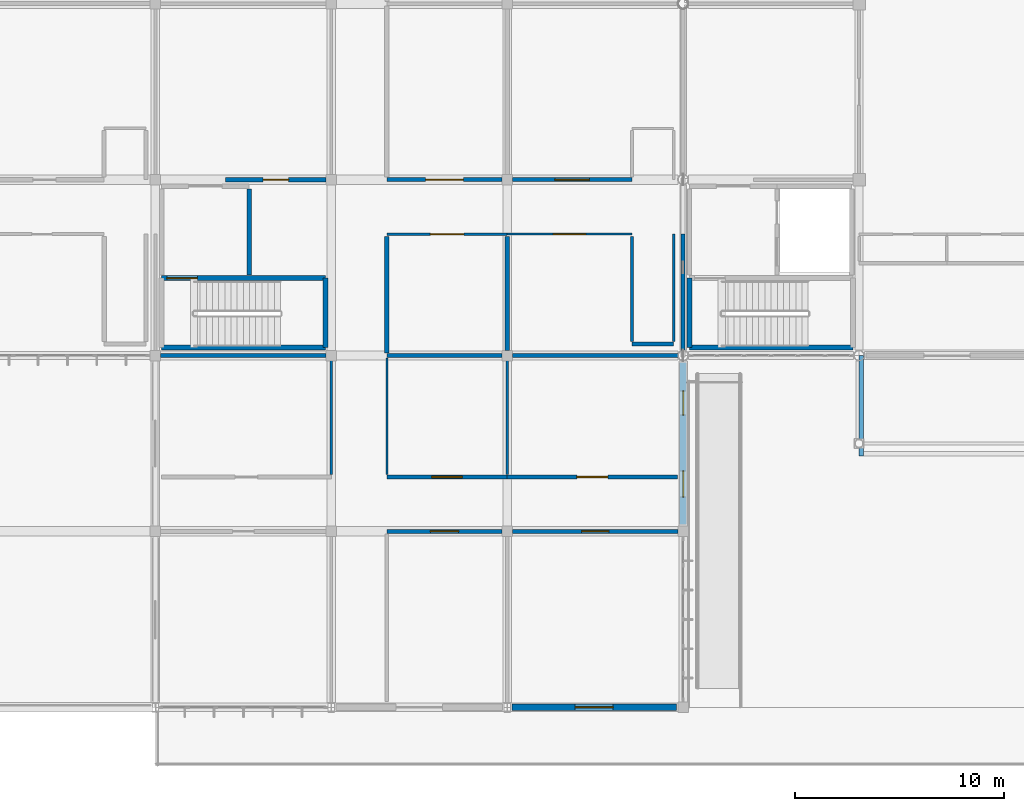
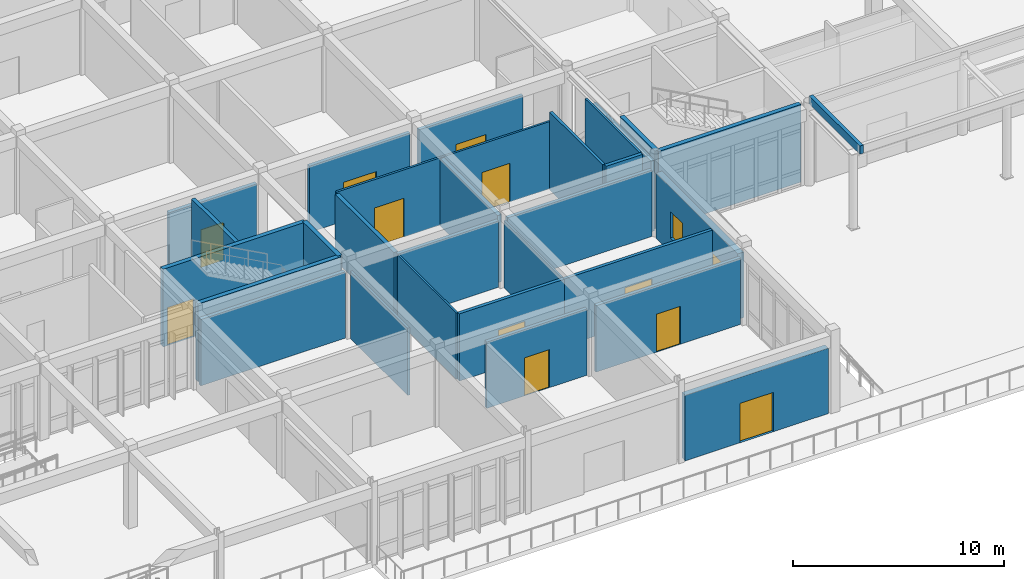
# One storey, part 90 of 138: 30 walls, 11 doors, 2 windows, 13 openings.
"""IFC4 building model written with IfcOpenShell, lengths in metres."""

from ifc_helpers import new_model, si_unit, direction, frame, frame_2d, origin, place, context, subcontext, project, spatial, rectangle, extrude, material, layer, layer_set, type_object, element, fill, save


model = new_model("IFC4")

# Units and contexts
model_context = context("Model", 3, precision=1e-05, world=origin(), true_north=direction((0.0, 1.0)))
body_context = subcontext(model_context, "Body", "Model", "MODEL_VIEW")
ifc_project = project(units=[si_unit("LENGTHUNIT", "METRE"), si_unit("AREAUNIT", "SQUARE_METRE"), si_unit("VOLUMEUNIT", "CUBIC_METRE"), si_unit("PLANEANGLEUNIT", "RADIAN"), si_unit("MASSUNIT", "GRAM", prefix="KILO")], contexts=[model_context])

# Site, building, storey
site_placement = place(None, origin())
site = spatial("IfcSite", under=ifc_project, at=site_placement, CompositionType="ELEMENT")
building_placement = place(site_placement, origin())
building = spatial("IfcBuilding", under=site, at=building_placement, Name="Bramfleet General Hospital", CompositionType="ELEMENT")
storey_placement = place(building_placement, origin())
storey = spatial("IfcBuildingStorey", under=building, at=storey_placement, Name="L00", CompositionType="ELEMENT", Elevation=0.0)

# Wall, openings, windows
ifc_material_1 = material(Name="Precast concrete C40/50", Category="concrete")
ifc_layer_1 = layer(ifc_material_1, 0.3349609375, Name="WT-EW-03")
ifc_layer_set_1 = layer_set([ifc_layer_1], Name="Precast concrete C40/50")
wall_type_1 = type_object("IfcWallType", Name="WT-EW-03", PredefinedType="SOLIDWALL", material=ifc_layer_set_1)
wall_1_placement = place(storey_placement, frame((50.39990234375, 16.470947265625, 0.0), z_axis=(0.0, 0.0, 1.0), x_axis=(0.0, -1.0, 0.0)))
wall_1 = element("IfcWall", 1, at=wall_1_placement, inside=storey, type_object=wall_type_1, Name="L00 Exterior Wall 148", PredefinedType="SOLIDWALL", context=body_context, shape_type="SweptSolid", body=[
    extrude(rectangle(XDim=7.745849609375, YDim=0.3349609375, at=frame_2d((3.873046875, 0.0))), origin(), (0.0, 0.0, 1.0), 3.7900390625),
])
opening_1_placement = place(wall_1_placement, frame((1.361572265625, 0.0, 0.85009765625)))
opening_1 = element("IfcOpeningElement", 2, at=opening_1_placement, cuts=wall_1, Name="Opening W-22", PredefinedType="OPENING", context=body_context, shape_type="SweptSolid", body=[
    extrude(rectangle(XDim=1.14990234375, YDim=1.5400390625, at=frame_2d((0.574951171875, 0.77001953125))), frame((0.0, 0.177490234375, 0.0), z_axis=(0.0, -1.0, 0.0), x_axis=(1.0, 0.0, 0.0)), (0.0, 0.0, 1.0), 0.35498046875),
])
opening_2_placement = place(wall_1_placement, frame((5.1845703125, 0.0, 0.85009765625)))
opening_2 = element("IfcOpeningElement", 3, at=opening_2_placement, cuts=wall_1, Name="Opening W-23", PredefinedType="OPENING", context=body_context, shape_type="SweptSolid", body=[
    extrude(rectangle(XDim=1.25, YDim=1.5400390625, at=frame_2d((0.625, 0.77001953125))), frame((0.0, 0.177490234375, 0.0), z_axis=(0.0, -1.0, 0.0), x_axis=(1.0, 0.0, 0.0)), (0.0, 0.0, 1.0), 0.35498046875),
])
ifc_material_2 = material(Name="Anodised aluminium and low-E triple glazing", Category="aluminium")
window_type_1 = type_object("IfcWindowType", Name="WIN-W-22", PartitioningType="SINGLE_PANEL", PredefinedType="WINDOW", material=ifc_material_2)
window_1_placement = place(opening_1_placement, origin())
window_1 = element("IfcWindow", 4, at=window_1_placement, inside=storey, type_object=window_type_1, Name="L00 Facade Window WIN-L00-148-1", OverallHeight=1.5400390625, OverallWidth=1.14990234375, PartitioningType="SINGLE_PANEL", PredefinedType="WINDOW", context=body_context, shape_type="SweptSolid", body=[
    extrude(rectangle(XDim=1.14990234375, YDim=1.5400390625, at=frame_2d((0.574951171875, 0.77001953125))), frame((0.0, 0.030029296875, 0.0), z_axis=(0.0, -1.0, 0.0), x_axis=(1.0, 0.0, 0.0)), (0.0, 0.0, 1.0), 0.06005859375),
])
fill(opening_1, window_1)
window_type_2 = type_object("IfcWindowType", Name="WIN-W-23", PartitioningType="SINGLE_PANEL", PredefinedType="WINDOW", material=ifc_material_2)
window_2_placement = place(opening_2_placement, origin())
window_2 = element("IfcWindow", 5, at=window_2_placement, inside=storey, type_object=window_type_2, Name="L00 Facade Window WIN-L00-148-2", OverallHeight=1.5400390625, OverallWidth=1.25, PartitioningType="SINGLE_PANEL", PredefinedType="WINDOW", context=body_context, shape_type="SweptSolid", body=[
    extrude(rectangle(XDim=1.25, YDim=1.5400390625, at=frame_2d((0.625, 0.77001953125))), frame((0.0, 0.030029296875, 0.0), z_axis=(0.0, -1.0, 0.0), x_axis=(1.0, 0.0, 0.0)), (0.0, 0.0, 1.0), 0.06005859375),
])
fill(opening_2, window_2)

# Wall, opening, door
ifc_layer_2 = layer(ifc_material_1, 0.31494140625, Name="WT-EW-04")
ifc_layer_set_2 = layer_set([ifc_layer_2], Name="Precast concrete C40/50")
wall_type_2 = type_object("IfcWallType", Name="WT-EW-04", PredefinedType="SOLIDWALL", material=ifc_layer_set_2)
wall_2_placement = place(storey_placement, frame((50.074951171875, 0.0, 0.0), z_axis=(0.0, 0.0, 1.0), x_axis=(-1.0, 0.0, 0.0)))
wall_2 = element("IfcWall", 6, at=wall_2_placement, inside=storey, type_object=wall_type_2, Name="L00 Exterior Wall 149", PredefinedType="SOLIDWALL", context=body_context, shape_type="SweptSolid", body=[
    extrude(rectangle(XDim=7.849853515625, YDim=0.31494140625, at=frame_2d((3.9248046875, 0.0))), origin(), (0.0, 0.0, 1.0), 3.7900390625),
])
opening_3_placement = place(wall_2_placement, frame((3.014892578125, 0.0, 0.0)))
opening_3 = element("IfcOpeningElement", 7, at=opening_3_placement, cuts=wall_2, Name="Opening D-L00-EXT-017", PredefinedType="OPENING", context=body_context, shape_type="SweptSolid", body=[
    extrude(rectangle(XDim=1.820068359375, YDim=2.280029296875, at=frame_2d((0.91015625, 1.14013671875))), frame((0.0, 0.16748046875, 0.0), z_axis=(0.0, -1.0, 0.0), x_axis=(1.0, 0.0, 0.0)), (0.0, 0.0, 1.0), 0.3349609375),
])
ifc_material_3 = material(Name="Thermally broken steel and laminated safety glass", Category="steel")
door_type_1 = type_object("IfcDoorType", Name="DR-ED-02", OperationType="NOTDEFINED", PredefinedType="DOOR", material=ifc_material_3)
door_1_placement = place(opening_3_placement, origin())
door_1 = element("IfcDoor", 8, at=door_1_placement, inside=storey, type_object=door_type_1, Name="Ground Exterior Pedestrian Door D-L00-EXT-017", OperationType="DOUBLE_SWING_LEFT", OverallHeight=2.280029296875, OverallWidth=1.820068359375, PredefinedType="DOOR", context=body_context, shape_type="SweptSolid", body=[
    extrude(rectangle(XDim=1.820068359375, YDim=2.280029296875, at=frame_2d((0.91015625, 1.14013671875))), frame((0.0, 0.02490234375, 0.0), z_axis=(0.0, -1.0, 0.0), x_axis=(1.0, 0.0, 0.0)), (0.0, 0.0, 1.0), 0.050048828125),
])
fill(opening_3, door_1)

# Walls
ifc_material_4 = material(Name="Concrete C35/45", Category="concrete")
ifc_layer_3 = layer(ifc_material_4, 0.219970703125, Name="WT-IW-01")
ifc_layer_set_3 = layer_set([ifc_layer_3], Name="Concrete C35/45")
wall_type_3 = type_object("IfcWallType", Name="WT-IW-01", PredefinedType="PARTITIONING", material=ifc_layer_set_3)
wall_3_placement = place(storey_placement, frame((36.25, 16.9150390625, 0.0), z_axis=(0.0, 0.0, 1.0), x_axis=(0.0, 1.0, 0.0)))
element("IfcWall", 9, at=wall_3_placement, inside=storey, type_object=wall_type_3, Name="L00 Interior Partition IW-L00-0973", PredefinedType="PARTITIONING", context=body_context, shape_type="SweptSolid", body=[
    extrude(rectangle(XDim=5.570068359375, YDim=0.219970703125, at=frame_2d((2.78515625, 0.0))), origin(), (0.0, 0.0, 1.0), 3.840087890625),
])
wall_4_placement = place(storey_placement, frame((42.0, 17.044921875, 0.0), z_axis=(0.0, 0.0, 1.0), x_axis=(0.0, 1.0, 0.0)))
element("IfcWall", 10, at=wall_4_placement, inside=storey, type_object=wall_type_3, Name="L00 Interior Partition IW-L00-0985", PredefinedType="PARTITIONING", context=body_context, shape_type="SweptSolid", body=[
    extrude(rectangle(XDim=5.440185546875, YDim=0.219970703125, at=frame_2d((2.72021484375, 0.0))), origin(), (0.0, 0.0, 1.0), 3.889892578125),
])
ifc_layer_4 = layer(ifc_material_4, 0.205078125, Name="WT-IW-02")
ifc_layer_set_4 = layer_set([ifc_layer_4], Name="Concrete C35/45")
wall_type_4 = type_object("IfcWallType", Name="WT-IW-02", PredefinedType="PARTITIONING", material=ifc_layer_set_4)
wall_5_placement = place(storey_placement, frame((29.679931640625, 20.639892578125, 0.0), z_axis=(0.0, 0.0, 1.0), x_axis=(0.0, 1.0, 0.0)))
element("IfcWall", 11, at=wall_5_placement, inside=storey, type_object=wall_type_4, Name="L00 C7 Lobby East Shaft Wall", PredefinedType="PARTITIONING", context=body_context, shape_type="SweptSolid", body=[
    extrude(rectangle(XDim=4.1201171875, YDim=0.205078125, at=frame_2d((2.06005859375, 0.0))), origin(), (0.0, 0.0, 1.0), 4.489990234375),
])
wall_6_placement = place(storey_placement, frame((25.445068359375, 16.800048828125, 0.0), z_axis=(0.0, 0.0, 1.0), x_axis=(1.0, 0.0, 0.0)))
element("IfcWall", 12, at=wall_6_placement, inside=storey, type_object=wall_type_4, Name="L00 Interior Partition IW-L00-0626", PredefinedType="PARTITIONING", context=body_context, shape_type="SweptSolid", body=[
    extrude(rectangle(XDim=7.909912109375, YDim=0.205078125, at=frame_2d((3.955078125, 0.0))), origin(), (0.0, 0.0, 1.0), 3.840087890625),
])

# Wall, opening, door
wall_7_placement = place(storey_placement, frame((28.550048828125, 25.199951171875, 0.0), z_axis=(0.0, 0.0, 1.0), x_axis=(1.0, 0.0, 0.0)))
wall_7 = element("IfcWall", 13, at=wall_7_placement, inside=storey, type_object=wall_type_4, Name="L00 Interior Partition IW-L00-0662", PredefinedType="PARTITIONING", context=body_context, shape_type="SweptSolid", body=[
    extrude(rectangle(XDim=4.804931640625, YDim=0.205078125, at=frame_2d((2.40234375, 0.0))), origin(), (0.0, 0.0, 1.0), 3.840087890625),
])
opening_4_placement = place(wall_7_placement, frame((1.79248046875, 0.0, 0.0)))
opening_4 = element("IfcOpeningElement", 14, at=opening_4_placement, cuts=wall_7, Name="Opening D0439", PredefinedType="OPENING", context=body_context, shape_type="SweptSolid", body=[
    extrude(rectangle(XDim=1.219970703125, YDim=2.179931640625, at=frame_2d((0.60986328125, 1.08984375))), frame((0.0, 0.112548828125, 0.0), z_axis=(0.0, -1.0, 0.0), x_axis=(1.0, 0.0, 0.0)), (0.0, 0.0, 1.0), 0.22509765625),
])
ifc_material_5 = material(Name="Stainless steel and acoustic timber leaf", Category="steel")
door_type_2 = type_object("IfcDoorType", Name="DR-D-23", OperationType="NOTDEFINED", PredefinedType="DOOR", material=ifc_material_5)
door_2_placement = place(opening_4_placement, origin())
door_2 = element("IfcDoor", 15, at=door_2_placement, inside=storey, type_object=door_type_2, Name="Emergency Resuscitation Bay 4 Door D0439", OperationType="SINGLE_SWING_RIGHT", OverallHeight=2.179931640625, OverallWidth=1.219970703125, PredefinedType="DOOR", context=body_context, shape_type="SweptSolid", body=[
    extrude(rectangle(XDim=1.219970703125, YDim=2.179931640625, at=frame_2d((0.60986328125, 1.08984375))), frame((0.0, 0.02490234375, 0.0), z_axis=(0.0, -1.0, 0.0), x_axis=(1.0, 0.0, 0.0)), (0.0, 0.0, 1.0), 0.050048828125),
])
fill(opening_4, door_2)

# Walls
ifc_layer_5 = layer(ifc_material_4, 0.18994140625, Name="WT-IW-03")
ifc_layer_set_5 = layer_set([ifc_layer_5], Name="Concrete C35/45")
wall_type_5 = type_object("IfcWallType", Name="WT-IW-03", PredefinedType="PARTITIONING", material=ifc_layer_set_5)
wall_8_placement = place(storey_placement, frame((36.25, 16.800048828125, 0.0), z_axis=(0.0, 0.0, 1.0), x_axis=(1.0, 0.0, 0.0)))
element("IfcWall", 16, at=wall_8_placement, inside=storey, type_object=wall_type_5, Name="L00 Interior Partition IW-L00-0627", PredefinedType="PARTITIONING", context=body_context, shape_type="SweptSolid", body=[
    extrude(rectangle(XDim=5.5048828125, YDim=0.18994140625, at=frame_2d((2.75244140625, 0.0))), origin(), (0.0, 0.0, 1.0), 3.840087890625),
])
wall_9_placement = place(storey_placement, frame((47.949951171875, 17.35009765625, 0.0), z_axis=(0.0, 0.0, 1.0), x_axis=(1.0, 0.0, 0.0)))
element("IfcWall", 17, at=wall_9_placement, inside=storey, type_object=wall_type_5, Name="L00 Interior Partition IW-L00-0639", PredefinedType="PARTITIONING", context=body_context, shape_type="SweptSolid", body=[
    extrude(rectangle(XDim=2.0, YDim=0.18994140625, at=frame_2d((1.0, 0.0))), origin(), (0.0, 0.0, 1.0), 4.489990234375),
])

# Wall, opening, door
wall_10_placement = place(storey_placement, frame((36.25, 25.199951171875, 0.0), z_axis=(0.0, 0.0, 1.0), x_axis=(1.0, 0.0, 0.0)))
wall_10 = element("IfcWall", 18, at=wall_10_placement, inside=storey, type_object=wall_type_5, Name="L00 Interior Partition IW-L00-0663", PredefinedType="PARTITIONING", context=body_context, shape_type="SweptSolid", body=[
    extrude(rectangle(XDim=5.5048828125, YDim=0.18994140625, at=frame_2d((2.75244140625, 0.0))), origin(), (0.0, 0.0, 1.0), 3.840087890625),
])
opening_5_placement = place(wall_10_placement, frame((1.8525390625, 0.0, 0.0)))
opening_5 = element("IfcOpeningElement", 19, at=opening_5_placement, cuts=wall_10, Name="Opening D0453", PredefinedType="OPENING", context=body_context, shape_type="SweptSolid", body=[
    extrude(rectangle(XDim=1.800048828125, YDim=2.25, at=frame_2d((0.89990234375, 1.125))), frame((0.0, 0.10498046875, 0.0), z_axis=(0.0, -1.0, 0.0), x_axis=(1.0, 0.0, 0.0)), (0.0, 0.0, 1.0), 0.2099609375),
])
door_type_3 = type_object("IfcDoorType", Name="DR-D-05", OperationType="NOTDEFINED", PredefinedType="DOOR", material=ifc_material_5)
door_3_placement = place(opening_5_placement, origin())
door_3 = element("IfcDoor", 20, at=door_3_placement, inside=storey, type_object=door_type_3, Name="Emergency Resuscitation Bay 5 Door D0453", OperationType="DOUBLE_SWING_RIGHT", OverallHeight=2.25, OverallWidth=1.800048828125, PredefinedType="DOOR", context=body_context, shape_type="SweptSolid", body=[
    extrude(rectangle(XDim=1.800048828125, YDim=2.25, at=frame_2d((0.89990234375, 1.125))), frame((0.0, 0.02490234375, 0.0), z_axis=(0.0, -1.0, 0.0), x_axis=(1.0, 0.0, 0.0)), (0.0, 0.0, 1.0), 0.050048828125),
])
fill(opening_5, door_3)

# Wall
wall_11_placement = place(storey_placement, frame((50.39990234375, 17.049072265625, 0.0), z_axis=(0.0, 0.0, 1.0), x_axis=(0.0, 1.0, 0.0)))
element("IfcWall", 21, at=wall_11_placement, inside=storey, type_object=wall_type_5, Name="L00 Interior Partition IW-L00-1011", PredefinedType="PARTITIONING", context=body_context, shape_type="SweptSolid", body=[
    extrude(rectangle(XDim=5.551025390625, YDim=0.18994140625, at=frame_2d((2.775390625, 0.0))), origin(), (0.0, 0.0, 1.0), 4.090087890625),
])

# Wall, opening, door
ifc_layer_6 = layer(ifc_material_4, 0.179931640625, Name="WT-IW-04")
ifc_layer_set_6 = layer_set([ifc_layer_6], Name="Concrete C35/45")
wall_type_6 = type_object("IfcWallType", Name="WT-IW-04", PredefinedType="PARTITIONING", material=ifc_layer_set_6)
wall_12_placement = place(storey_placement, frame((36.25, 8.39990234375, 0.0), z_axis=(0.0, 0.0, 1.0), x_axis=(1.0, 0.0, 0.0)))
wall_12 = element("IfcWall", 22, at=wall_12_placement, inside=storey, type_object=wall_type_6, Name="L00 Interior Partition IW-L00-0603", PredefinedType="PARTITIONING", context=body_context, shape_type="SweptSolid", body=[
    extrude(rectangle(XDim=5.5048828125, YDim=0.179931640625, at=frame_2d((2.75244140625, 0.0))), origin(), (0.0, 0.0, 1.0), 3.840087890625),
])
opening_6_placement = place(wall_12_placement, frame((2.077392578125, 0.0, 0.0)))
opening_6 = element("IfcOpeningElement", 23, at=opening_6_placement, cuts=wall_12, Name="Opening D0450", PredefinedType="OPENING", context=body_context, shape_type="SweptSolid", body=[
    extrude(rectangle(XDim=1.35009765625, YDim=2.199951171875, at=frame_2d((0.675048828125, 1.10009765625))), frame((0.0, 0.099853515625, 0.0), z_axis=(0.0, -1.0, 0.0), x_axis=(1.0, 0.0, 0.0)), (0.0, 0.0, 1.0), 0.199951171875),
])
door_type_4 = type_object("IfcDoorType", Name="DR-D-02", OperationType="NOTDEFINED", PredefinedType="DOOR", material=ifc_material_5)
door_4_placement = place(opening_6_placement, origin())
door_4 = element("IfcDoor", 24, at=door_4_placement, inside=storey, type_object=door_type_4, Name="Emergency Trauma CT Suite Door D0450", OperationType="SINGLE_SWING_LEFT", OverallHeight=2.199951171875, OverallWidth=1.35009765625, PredefinedType="DOOR", context=body_context, shape_type="SweptSolid", body=[
    extrude(rectangle(XDim=1.35009765625, YDim=2.199951171875, at=frame_2d((0.675048828125, 1.10009765625))), frame((0.0, 0.02490234375, 0.0), z_axis=(0.0, -1.0, 0.0), x_axis=(1.0, 0.0, 0.0)), (0.0, 0.0, 1.0), 0.050048828125),
])
fill(opening_6, door_4)

wall_13_placement = place(storey_placement, frame((42.2451171875, 8.39990234375, 0.0), z_axis=(0.0, 0.0, 1.0), x_axis=(1.0, 0.0, 0.0)))
wall_13 = element("IfcWall", 25, at=wall_13_placement, inside=storey, type_object=wall_type_6, Name="L00 Interior Partition IW-L00-0604", PredefinedType="PARTITIONING", context=body_context, shape_type="SweptSolid", body=[
    extrude(rectangle(XDim=7.909912109375, YDim=0.179931640625, at=frame_2d((3.955078125, 0.0))), origin(), (0.0, 0.0, 1.0), 3.840087890625),
])
opening_7_placement = place(wall_13_placement, frame((3.304931640625, 0.0, 0.0)))
opening_7 = element("IfcOpeningElement", 26, at=opening_7_placement, cuts=wall_13, Name="Opening D0463", PredefinedType="OPENING", context=body_context, shape_type="SweptSolid", body=[
    extrude(rectangle(XDim=1.300048828125, YDim=2.199951171875, at=frame_2d((0.64990234375, 1.10009765625))), frame((0.0, 0.099853515625, 0.0), z_axis=(0.0, -1.0, 0.0), x_axis=(1.0, 0.0, 0.0)), (0.0, 0.0, 1.0), 0.199951171875),
])
door_type_5 = type_object("IfcDoorType", Name="DR-D-15", OperationType="NOTDEFINED", PredefinedType="DOOR", material=ifc_material_5)
door_5_placement = place(opening_7_placement, origin())
door_5 = element("IfcDoor", 27, at=door_5_placement, inside=storey, type_object=door_type_5, Name="Emergency Department Exam Room 0500 Door D0463", OperationType="SINGLE_SWING_RIGHT", OverallHeight=2.199951171875, OverallWidth=1.300048828125, PredefinedType="DOOR", context=body_context, shape_type="SweptSolid", body=[
    extrude(rectangle(XDim=1.300048828125, YDim=2.199951171875, at=frame_2d((0.64990234375, 1.10009765625))), frame((0.0, 0.02490234375, 0.0), z_axis=(0.0, -1.0, 0.0), x_axis=(1.0, 0.0, 0.0)), (0.0, 0.0, 1.0), 0.050048828125),
])
fill(opening_7, door_5)

wall_14_placement = place(storey_placement, frame((36.25, 11.0, 0.0), z_axis=(0.0, 0.0, 1.0), x_axis=(1.0, 0.0, 0.0)))
wall_14 = element("IfcWall", 28, at=wall_14_placement, inside=storey, type_object=wall_type_6, Name="L00 Interior Partition IW-L00-0616", PredefinedType="PARTITIONING", context=body_context, shape_type="SweptSolid", body=[
    extrude(rectangle(XDim=5.75, YDim=0.179931640625, at=frame_2d((2.875, 0.0))), origin(), (0.0, 0.0, 1.0), 3.889892578125),
])
opening_8_placement = place(wall_14_placement, frame((2.14990234375, 0.0, 0.0)))
opening_8 = element("IfcOpeningElement", 29, at=opening_8_placement, cuts=wall_14, Name="Opening D0451", PredefinedType="OPENING", context=body_context, shape_type="SweptSolid", body=[
    extrude(rectangle(XDim=1.449951171875, YDim=2.199951171875, at=frame_2d((0.72509765625, 1.10009765625))), frame((0.0, 0.099853515625, 0.0), z_axis=(0.0, -1.0, 0.0), x_axis=(1.0, 0.0, 0.0)), (0.0, 0.0, 1.0), 0.199951171875),
])
door_type_6 = type_object("IfcDoorType", Name="DR-D-03", OperationType="NOTDEFINED", PredefinedType="DOOR", material=ifc_material_5)
door_6_placement = place(opening_8_placement, origin())
door_6 = element("IfcDoor", 30, at=door_6_placement, inside=storey, type_object=door_type_6, Name="Emergency Department Exam Room 0401 Door D0451", OperationType="SINGLE_SWING_RIGHT", OverallHeight=2.199951171875, OverallWidth=1.449951171875, PredefinedType="DOOR", context=body_context, shape_type="SweptSolid", body=[
    extrude(rectangle(XDim=1.449951171875, YDim=2.199951171875, at=frame_2d((0.72509765625, 1.10009765625))), frame((0.0, 0.02490234375, 0.0), z_axis=(0.0, -1.0, 0.0), x_axis=(1.0, 0.0, 0.0)), (0.0, 0.0, 1.0), 0.050048828125),
])
fill(opening_8, door_6)

# Wall
wall_15_placement = place(storey_placement, frame((42.2451171875, 16.800048828125, 0.0), z_axis=(0.0, 0.0, 1.0), x_axis=(1.0, 0.0, 0.0)))
element("IfcWall", 31, at=wall_15_placement, inside=storey, type_object=wall_type_6, Name="L00 Interior Partition IW-L00-0628", PredefinedType="PARTITIONING", context=body_context, shape_type="SweptSolid", body=[
    extrude(rectangle(XDim=7.90576171875, YDim=0.179931640625, at=frame_2d((3.952880859375, 0.0))), origin(), (0.0, 0.0, 1.0), 3.840087890625),
])

# Wall, opening, door
wall_16_placement = place(storey_placement, frame((42.2451171875, 25.199951171875, 0.0), z_axis=(0.0, 0.0, 1.0), x_axis=(1.0, 0.0, 0.0)))
wall_16 = element("IfcWall", 32, at=wall_16_placement, inside=storey, type_object=wall_type_6, Name="L00 Interior Partition IW-L00-0664", PredefinedType="PARTITIONING", context=body_context, shape_type="SweptSolid", body=[
    extrude(rectangle(XDim=5.704833984375, YDim=0.179931640625, at=frame_2d((2.8525390625, 0.0))), origin(), (0.0, 0.0, 1.0), 3.840087890625),
])
opening_9_placement = place(wall_16_placement, frame((2.032470703125, 0.0, 0.0)))
opening_9 = element("IfcOpeningElement", 33, at=opening_9_placement, cuts=wall_16, Name="Opening D0466", PredefinedType="OPENING", context=body_context, shape_type="SweptSolid", body=[
    extrude(rectangle(XDim=1.639892578125, YDim=2.280029296875, at=frame_2d((0.81982421875, 1.14013671875))), frame((0.0, 0.099853515625, 0.0), z_axis=(0.0, -1.0, 0.0), x_axis=(1.0, 0.0, 0.0)), (0.0, 0.0, 1.0), 0.199951171875),
])
door_type_7 = type_object("IfcDoorType", Name="DR-D-18", OperationType="NOTDEFINED", PredefinedType="DOOR", material=ifc_material_5)
door_7_placement = place(opening_9_placement, origin())
door_7 = element("IfcDoor", 34, at=door_7_placement, inside=storey, type_object=door_type_7, Name="Emergency Resuscitation Bay 6 Door D0466", OperationType="DOUBLE_SWING_LEFT", OverallHeight=2.280029296875, OverallWidth=1.639892578125, PredefinedType="DOOR", context=body_context, shape_type="SweptSolid", body=[
    extrude(rectangle(XDim=1.639892578125, YDim=2.280029296875, at=frame_2d((0.81982421875, 1.14013671875))), frame((0.0, 0.02490234375, 0.0), z_axis=(0.0, -1.0, 0.0), x_axis=(1.0, 0.0, 0.0)), (0.0, 0.0, 1.0), 0.050048828125),
])
fill(opening_9, door_7)

ifc_material_6 = material(Name="Gypsum plasterboard on acoustic steel studs", Category="steel")
ifc_layer_7 = layer(ifc_material_6, 0.169921875, Name="WT-IW-05")
ifc_layer_set_7 = layer_set([ifc_layer_7], Name="Gypsum plasterboard on acoustic steel studs")
wall_type_7 = type_object("IfcWallType", Name="WT-IW-05", PredefinedType="PARTITIONING", material=ifc_layer_set_7)
wall_17_placement = place(storey_placement, frame((42.0, 11.0, 0.0), z_axis=(0.0, 0.0, 1.0), x_axis=(1.0, 0.0, 0.0)))
wall_17 = element("IfcWall", 35, at=wall_17_placement, inside=storey, type_object=wall_type_7, Name="L00 Interior Partition IW-L00-0617", PredefinedType="PARTITIONING", context=body_context, shape_type="SweptSolid", body=[
    extrude(rectangle(XDim=8.1201171875, YDim=0.169921875, at=frame_2d((4.06005859375, 0.0))), origin(), (0.0, 0.0, 1.0), 3.889892578125),
])
opening_10_placement = place(wall_17_placement, frame((3.320068359375, 0.0, 0.0)))
opening_10 = element("IfcOpeningElement", 36, at=opening_10_placement, cuts=wall_17, Name="Opening D0464", PredefinedType="OPENING", context=body_context, shape_type="SweptSolid", body=[
    extrude(rectangle(XDim=1.47998046875, YDim=2.219970703125, at=frame_2d((0.739990234375, 1.10986328125))), frame((0.0, 0.094970703125, 0.0), z_axis=(0.0, -1.0, 0.0), x_axis=(1.0, 0.0, 0.0)), (0.0, 0.0, 1.0), 0.18994140625),
])
door_type_8 = type_object("IfcDoorType", Name="DR-D-16", OperationType="NOTDEFINED", PredefinedType="DOOR", material=ifc_material_5)
door_8_placement = place(opening_10_placement, origin())
door_8 = element("IfcDoor", 37, at=door_8_placement, inside=storey, type_object=door_type_8, Name="Emergency Department Exam Room 0501 Door D0464", OperationType="SINGLE_SWING_LEFT", OverallHeight=2.219970703125, OverallWidth=1.47998046875, PredefinedType="DOOR", context=body_context, shape_type="SweptSolid", body=[
    extrude(rectangle(XDim=1.47998046875, YDim=2.219970703125, at=frame_2d((0.739990234375, 1.10986328125))), frame((0.0, 0.02490234375, 0.0), z_axis=(0.0, -1.0, 0.0), x_axis=(1.0, 0.0, 0.0)), (0.0, 0.0, 1.0), 0.050048828125),
])
fill(opening_10, door_8)

# Wall
ifc_layer_8 = layer(ifc_material_6, 0.14990234375, Name="WT-IW-07")
ifc_layer_set_8 = layer_set([ifc_layer_8], Name="Gypsum plasterboard on acoustic steel studs")
wall_type_8 = type_object("IfcWallType", Name="WT-IW-07", PredefinedType="PARTITIONING", material=ifc_layer_set_8)
wall_18_placement = place(storey_placement, frame((47.949951171875, 17.465087890625, 0.0), z_axis=(0.0, 0.0, 1.0), x_axis=(0.0, 1.0, 0.0)))
element("IfcWall", 38, at=wall_18_placement, inside=storey, type_object=wall_type_8, Name="L00 Interior Partition IW-L00-1003", PredefinedType="PARTITIONING", context=body_context, shape_type="SweptSolid", body=[
    extrude(rectangle(XDim=5.02001953125, YDim=0.14990234375, at=frame_2d((2.510009765625, 0.0))), origin(), (0.0, 0.0, 1.0), 4.489990234375),
])

# Wall, opening, door
ifc_layer_9 = layer(ifc_material_6, 0.1201171875, Name="WT-IW-10")
ifc_layer_set_9 = layer_set([ifc_layer_9], Name="Gypsum plasterboard on acoustic steel studs")
wall_type_9 = type_object("IfcWallType", Name="WT-IW-10", PredefinedType="PARTITIONING", material=ifc_layer_set_9)
wall_19_placement = place(storey_placement, frame((36.25, 22.60009765625, 0.0), z_axis=(0.0, 0.0, 1.0), x_axis=(1.0, 0.0, 0.0)))
wall_19 = element("IfcWall", 39, at=wall_19_placement, inside=storey, type_object=wall_type_9, Name="L00 Interior Partition IW-L00-0646", PredefinedType="PARTITIONING", context=body_context, shape_type="SweptSolid", body=[
    extrude(rectangle(XDim=5.75, YDim=0.1201171875, at=frame_2d((2.875, 0.0))), origin(), (0.0, 0.0, 1.0), 3.889892578125),
])
opening_11_placement = place(wall_19_placement, frame((2.074951171875, 0.0, 0.0)))
opening_11 = element("IfcOpeningElement", 40, at=opening_11_placement, cuts=wall_19, Name="Opening D0452", PredefinedType="OPENING", context=body_context, shape_type="SweptSolid", body=[
    extrude(rectangle(XDim=1.60009765625, YDim=2.25, at=frame_2d((0.800048828125, 1.125))), frame((0.0, 0.070068359375, 0.0), z_axis=(0.0, -1.0, 0.0), x_axis=(1.0, 0.0, 0.0)), (0.0, 0.0, 1.0), 0.14013671875),
])
door_type_9 = type_object("IfcDoorType", Name="DR-D-04", OperationType="NOTDEFINED", PredefinedType="DOOR", material=ifc_material_5)
door_9_placement = place(opening_11_placement, origin())
door_9 = element("IfcDoor", 41, at=door_9_placement, inside=storey, type_object=door_type_9, Name="Emergency Department Exam Room 0402 Door D0452", OperationType="DOUBLE_SWING_LEFT", OverallHeight=2.25, OverallWidth=1.60009765625, PredefinedType="DOOR", context=body_context, shape_type="SweptSolid", body=[
    extrude(rectangle(XDim=1.60009765625, YDim=2.25, at=frame_2d((0.800048828125, 1.125))), frame((0.0, 0.02490234375, 0.0), z_axis=(0.0, -1.0, 0.0), x_axis=(1.0, 0.0, 0.0)), (0.0, 0.0, 1.0), 0.050048828125),
])
fill(opening_11, door_9)

# Wall
wall_20_placement = place(storey_placement, frame((33.60009765625, 11.114990234375, 0.0), z_axis=(0.0, 0.0, 1.0), x_axis=(0.0, 1.0, 0.0)))
element("IfcWall", 42, at=wall_20_placement, inside=storey, type_object=wall_type_9, Name="L00 Interior Partition IW-L00-0958", PredefinedType="PARTITIONING", context=body_context, shape_type="SweptSolid", body=[
    extrude(rectangle(XDim=5.43994140625, YDim=0.1201171875, at=frame_2d((2.719970703125, 0.0))), origin(), (0.0, 0.0, 1.0), 3.889892578125),
])

# Wall, opening, door
ifc_layer_10 = layer(ifc_material_6, 0.112060546875, Name="WT-IW-11")
ifc_layer_set_10 = layer_set([ifc_layer_10], Name="Gypsum plasterboard on acoustic steel studs")
wall_type_10 = type_object("IfcWallType", Name="WT-IW-11", PredefinedType="PARTITIONING", material=ifc_layer_set_10)
wall_21_placement = place(storey_placement, frame((42.0, 22.60009765625, 0.0), z_axis=(0.0, 0.0, 1.0), x_axis=(1.0, 0.0, 0.0)))
wall_21 = element("IfcWall", 43, at=wall_21_placement, inside=storey, type_object=wall_type_10, Name="L00 Interior Partition IW-L00-0647", PredefinedType="PARTITIONING", context=body_context, shape_type="SweptSolid", body=[
    extrude(rectangle(XDim=5.949951171875, YDim=0.112060546875, at=frame_2d((2.97509765625, 0.0))), origin(), (0.0, 0.0, 1.0), 3.889892578125),
])
opening_12_placement = place(wall_21_placement, frame((2.205078125, 0.0, 0.0)))
opening_12 = element("IfcOpeningElement", 44, at=opening_12_placement, cuts=wall_21, Name="Opening D0465", PredefinedType="OPENING", context=body_context, shape_type="SweptSolid", body=[
    extrude(rectangle(XDim=1.5400390625, YDim=2.239990234375, at=frame_2d((0.77001953125, 1.1201171875))), frame((0.0, 0.06591796875, 0.0), z_axis=(0.0, -1.0, 0.0), x_axis=(1.0, 0.0, 0.0)), (0.0, 0.0, 1.0), 0.132080078125),
])
door_type_10 = type_object("IfcDoorType", Name="DR-D-17", OperationType="NOTDEFINED", PredefinedType="DOOR", material=ifc_material_5)
door_10_placement = place(opening_12_placement, origin())
door_10 = element("IfcDoor", 45, at=door_10_placement, inside=storey, type_object=door_type_10, Name="Emergency Department Exam Room 0502 Door D0465", OperationType="SINGLE_SWING_RIGHT", OverallHeight=2.239990234375, OverallWidth=1.5400390625, PredefinedType="DOOR", context=body_context, shape_type="SweptSolid", body=[
    extrude(rectangle(XDim=1.5400390625, YDim=2.239990234375, at=frame_2d((0.77001953125, 1.1201171875))), frame((0.0, 0.02490234375, 0.0), z_axis=(0.0, -1.0, 0.0), x_axis=(1.0, 0.0, 0.0)), (0.0, 0.0, 1.0), 0.050048828125),
])
fill(opening_12, door_10)

# Walls
wall_22_placement = place(storey_placement, frame((49.949951171875, 17.465087890625, 0.0), z_axis=(0.0, 0.0, 1.0), x_axis=(0.0, 1.0, 0.0)))
element("IfcWall", 46, at=wall_22_placement, inside=storey, type_object=wall_type_10, Name="L00 Interior Partition IW-L00-1007", PredefinedType="PARTITIONING", context=body_context, shape_type="SweptSolid", body=[
    extrude(rectangle(XDim=5.135009765625, YDim=0.112060546875, at=frame_2d((2.5673828125, 0.0))), origin(), (0.0, 0.0, 1.0), 4.489990234375),
])
ifc_layer_11 = layer(ifc_material_6, 0.10009765625, Name="WT-IW-12")
ifc_layer_set_11 = layer_set([ifc_layer_11], Name="Gypsum plasterboard on acoustic steel studs")
wall_type_11 = type_object("IfcWallType", Name="WT-IW-12", PredefinedType="PARTITIONING", material=ifc_layer_set_11)
wall_23_placement = place(storey_placement, frame((36.25, 11.114990234375, 0.0), z_axis=(0.0, 0.0, 1.0), x_axis=(0.0, 1.0, 0.0)))
element("IfcWall", 47, at=wall_23_placement, inside=storey, type_object=wall_type_11, Name="L00 Interior Partition IW-L00-0972", PredefinedType="PARTITIONING", context=body_context, shape_type="SweptSolid", body=[
    extrude(rectangle(XDim=5.570068359375, YDim=0.10009765625, at=frame_2d((2.78515625, 0.0))), origin(), (0.0, 0.0, 1.0), 3.840087890625),
])
wall_24_placement = place(storey_placement, frame((42.0, 11.114990234375, 0.0), z_axis=(0.0, 0.0, 1.0), x_axis=(0.0, 1.0, 0.0)))
element("IfcWall", 48, at=wall_24_placement, inside=storey, type_object=wall_type_11, Name="L00 Interior Partition IW-L00-0984", PredefinedType="PARTITIONING", context=body_context, shape_type="SweptSolid", body=[
    extrude(rectangle(XDim=5.43994140625, YDim=0.10009765625, at=frame_2d((2.719970703125, 0.0))), origin(), (0.0, 0.0, 1.0), 3.889892578125),
])
ifc_layer_12 = layer(ifc_material_1, 0.199951171875, Name="WT-PW-01")
ifc_layer_set_12 = layer_set([ifc_layer_12], Name="Precast concrete C40/50")
wall_type_12 = type_object("IfcWallType", Name="WT-PW-01", PredefinedType="PARAPET", material=ifc_layer_set_12)
wall_25_placement = place(storey_placement, frame((58.909912109375, 16.800048828125, 4.580078125), z_axis=(0.0, 0.0, 1.0), x_axis=(0.0, -1.0, 0.0)))
element("IfcWall", 49, at=wall_25_placement, inside=storey, type_object=wall_type_12, Name="Roof Parapet Wall 4", PredefinedType="PARAPET", context=body_context, shape_type="SweptSolid", body=[
    extrude(rectangle(XDim=4.800048828125, YDim=0.199951171875, at=frame_2d((2.39990234375, 0.0))), origin(), (0.0, 0.0, 1.0), 0.469970703125),
])
ifc_material_7 = material(Name="Concrete C40/50", Category="concrete")
ifc_layer_13 = layer(ifc_material_7, 0.239990234375, Name="WT-SW-240")
ifc_layer_set_13 = layer_set([ifc_layer_13], Name="Concrete C40/50")
wall_type_13 = type_object("IfcWallType", Name="WT-SW-240", PredefinedType="SHEAR", material=ifc_layer_set_13)
wall_26_placement = place(storey_placement, frame((50.699951171875, 17.179931640625, 0.0), z_axis=(0.0, 0.0, 1.0), x_axis=(1.0, 0.0, 0.0)))
element("IfcWall", 50, at=wall_26_placement, inside=storey, type_object=wall_type_13, Name="L00 C1 South Stair Shear Wall", PredefinedType="SHEAR", context=body_context, shape_type="SweptSolid", body=[
    extrude(rectangle(XDim=7.820068359375, YDim=0.239990234375, at=frame_2d((3.91015625, 0.0))), origin(), (0.0, 0.0, 1.0), 4.5),
])
wall_27_placement = place(storey_placement, frame((50.699951171875, 17.179931640625, 0.0), z_axis=(0.0, 0.0, 1.0), x_axis=(0.0, 1.0, 0.0)))
element("IfcWall", 51, at=wall_27_placement, inside=storey, type_object=wall_type_13, Name="L00 C1 West Stair Shear Wall", PredefinedType="SHEAR", context=body_context, shape_type="SweptSolid", body=[
    extrude(rectangle(XDim=3.320068359375, YDim=0.239990234375, at=frame_2d((1.66015625, 0.0))), origin(), (0.0, 0.0, 1.0), 4.5),
])
wall_28_placement = place(storey_placement, frame((25.5, 17.179931640625, 0.0), z_axis=(0.0, 0.0, 1.0), x_axis=(1.0, 0.0, 0.0)))
element("IfcWall", 52, at=wall_28_placement, inside=storey, type_object=wall_type_13, Name="L00 C7 South Stair Shear Wall", PredefinedType="SHEAR", context=body_context, shape_type="SweptSolid", body=[
    extrude(rectangle(XDim=7.820068359375, YDim=0.239990234375, at=frame_2d((3.91015625, 0.0))), origin(), (0.0, 0.0, 1.0), 4.5),
])
wall_29_placement = place(storey_placement, frame((33.320068359375, 17.179931640625, 0.0), z_axis=(0.0, 0.0, 1.0), x_axis=(0.0, 1.0, 0.0)))
element("IfcWall", 53, at=wall_29_placement, inside=storey, type_object=wall_type_13, Name="L00 C7 East Stair Shear Wall", PredefinedType="SHEAR", context=body_context, shape_type="SweptSolid", body=[
    extrude(rectangle(XDim=3.320068359375, YDim=0.239990234375, at=frame_2d((1.66015625, 0.0))), origin(), (0.0, 0.0, 1.0), 4.5),
])

# Wall, opening, door
wall_30_placement = place(storey_placement, frame((25.5, 20.5, 0.0), z_axis=(0.0, 0.0, 1.0), x_axis=(1.0, 0.0, 0.0)))
wall_30 = element("IfcWall", 54, at=wall_30_placement, inside=storey, type_object=wall_type_13, Name="L00 C7 Stair-Lobby Shear Wall", PredefinedType="SHEAR", context=body_context, shape_type="SweptSolid", body=[
    extrude(rectangle(XDim=7.820068359375, YDim=0.239990234375, at=frame_2d((3.91015625, 0.0))), origin(), (0.0, 0.0, 1.0), 4.5),
])
opening_13_placement = place(wall_30_placement, frame((0.25, 0.0, 0.0)))
opening_13 = element("IfcOpeningElement", 55, at=opening_13_placement, cuts=wall_30, Name="Opening D0093", PredefinedType="OPENING", context=body_context, shape_type="SweptSolid", body=[
    extrude(rectangle(XDim=1.449951171875, YDim=2.199951171875, at=frame_2d((0.72509765625, 1.10009765625))), frame((0.0, 0.1298828125, 0.0), z_axis=(0.0, -1.0, 0.0), x_axis=(1.0, 0.0, 0.0)), (0.0, 0.0, 1.0), 0.260009765625),
])
door_11_placement = place(opening_13_placement, origin())
door_11 = element("IfcDoor", 56, at=door_11_placement, inside=storey, type_object=door_type_6, Name="L00 C7 Escape Stair Fire Door D0093", OperationType="SINGLE_SWING_RIGHT", OverallHeight=2.199951171875, OverallWidth=1.449951171875, PredefinedType="DOOR", context=body_context, shape_type="SweptSolid", body=[
    extrude(rectangle(XDim=1.449951171875, YDim=2.199951171875, at=frame_2d((0.72509765625, 1.10009765625))), frame((0.0, 0.02490234375, 0.0), z_axis=(0.0, -1.0, 0.0), x_axis=(1.0, 0.0, 0.0)), (0.0, 0.0, 1.0), 0.050048828125),
])
fill(opening_13, door_11)

save(model, "model.ifc")
